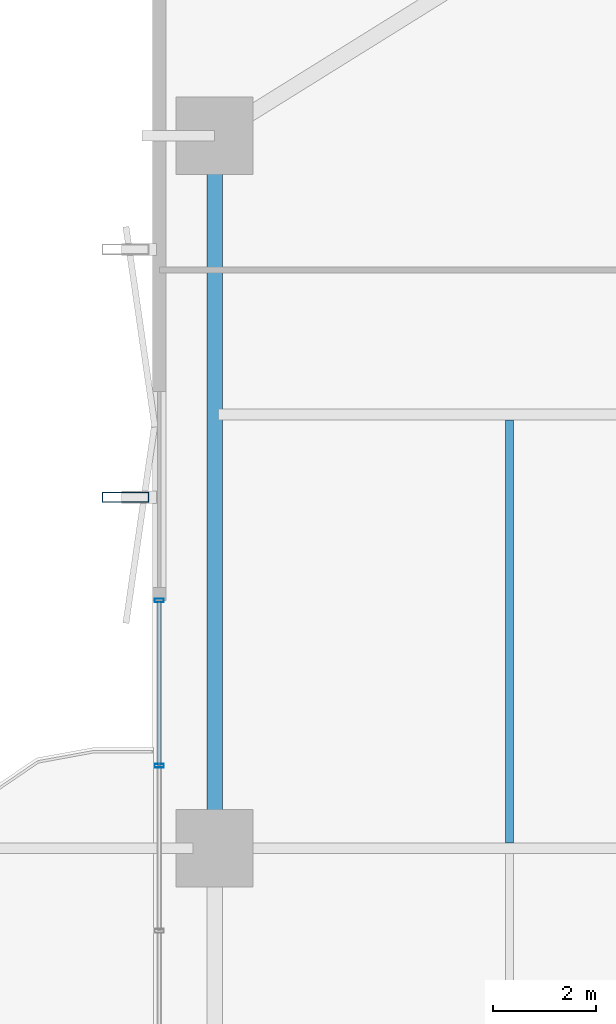
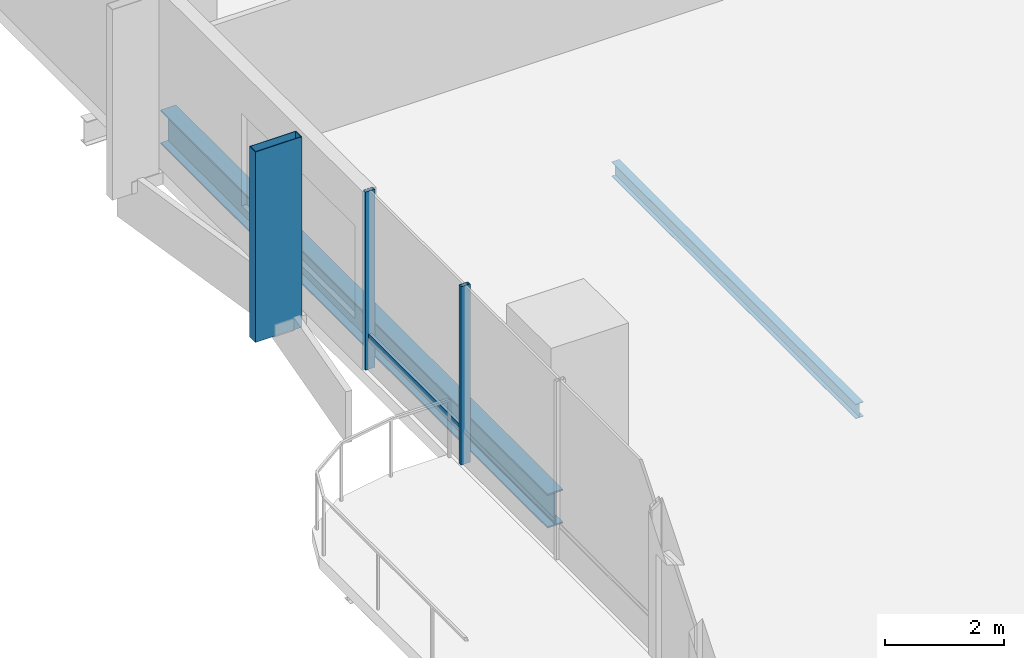
# One storey, part 9 of 24: 4 members, 2 beams, 1 element without a shape of its own.
"""IFC4 building model written with IfcOpenShell, lengths in metres."""

from ifc_helpers import new_model, si_unit, direction, frame, origin, origin_2d, place, context, subcontext, project, spatial, hollow_rectangle, i_section, extrude, material, layer, layer_set, material_profile, profile_set, type_object, element, aggregate, save


model = new_model("IFC4")

# Units and contexts
model_context = context("Model", 3, precision=1e-05, world=origin(), true_north=direction((0.0, 1.0)))
body_context = subcontext(model_context, "Body", "Model", "MODEL_VIEW")
ifc_project = project(units=[si_unit("LENGTHUNIT", "METRE"), si_unit("AREAUNIT", "SQUARE_METRE"), si_unit("VOLUMEUNIT", "CUBIC_METRE"), si_unit("PLANEANGLEUNIT", "RADIAN"), si_unit("MASSUNIT", "GRAM", prefix="KILO")], contexts=[model_context])

# Site, building, storey
site_placement = place(None, origin())
site = spatial("IfcSite", under=ifc_project, at=site_placement, CompositionType="ELEMENT")
building_placement = place(site_placement, origin())
building = spatial("IfcBuilding", under=site, at=building_placement, Name="Belovzor Exchange Tower", CompositionType="ELEMENT")
storey_placement = place(building_placement, frame((0.0, 0.0, 96.300048828125)))
storey = spatial("IfcBuildingStorey", under=building, at=storey_placement, Name="L23", CompositionType="ELEMENT", Elevation=96.300048828125)

# Beam
ifc_material_1 = material(Name="Steel S355", Category="steel")
ifc_material_profile_1 = material_profile(ifc_material_1, i_section(OverallWidth=0.14990234375, OverallDepth=0.300048828125, WebThickness=0.007080078125, FlangeThickness=0.0107421875, at=origin_2d()))
ifc_profile_set_1 = profile_set([ifc_material_profile_1], Name="Steel S355")
beam_type_1 = type_object("IfcBeamType", Name="Secondary Trim Floor Joist IPE 300", PredefinedType="BEAM", material=ifc_profile_set_1)
beam_1_placement = place(storey_placement, frame((7.81494140625, 28.905029296875, -0.400146484375), z_axis=(0.0, 1.0, 0.0), x_axis=(-1.0, 0.0, 0.0)))
element("IfcBeam", 1, at=beam_1_placement, inside=storey, type_object=beam_type_1, Name="FJ-300 Secondary Trim Floor Joist IPE 300", PredefinedType="BEAM", context=body_context, shape_type="SweptSolid", body=[
    extrude(i_section(OverallWidth=0.14990234375, OverallDepth=0.300048828125, WebThickness=0.007080078125, FlangeThickness=0.0107421875, at=origin_2d()), origin(), (0.0, 0.0, 1.0), 8.18994140625),
])

# Member
ifc_material_2 = material(Name="Extruded Architectural Terracotta on Steel S355 Carrier", Category="masonry")
ifc_material_profile_2 = material_profile(ifc_material_2, hollow_rectangle(XDim=0.199951171875, YDim=0.89990234375, WallThickness=0.011962890625, at=origin_2d()))
ifc_profile_set_2 = profile_set([ifc_material_profile_2], Name="Extruded Architectural Terracotta on Steel S355 Carrier")
member_type_1 = type_object("IfcMemberType", Name="Sweeping Terracotta Baguette Fin Assembly 1250", PredefinedType="USERDEFINED", material=ifc_profile_set_2)
member_1_placement = place(storey_placement, frame((0.375, 35.60009765625, -0.25), z_axis=(0.0, 0.0, 1.0), x_axis=(0.0, 1.0, 0.0)))
element("IfcMember", 2, at=member_1_placement, inside=storey, type_object=member_type_1, Name="FIN-TC125 Terracotta Facade Fin L23 W3", ObjectType="FIN", PredefinedType="USERDEFINED", context=body_context, shape_type="SweptSolid", body=[
    extrude(hollow_rectangle(XDim=0.199951171875, YDim=0.89990234375, WallThickness=0.011962890625, at=origin_2d()), origin(), (0.0, 0.0, 1.0), 3.89990234375),
])

# Curtain wall, members
ifc_material_3 = material(Name="Anodised Aluminium Framing", Category="aluminium")
ifc_layer = layer(ifc_material_3, 0.179931640625)
ifc_layer_set = layer_set([ifc_layer], Name="Anodised Aluminium Framing")
curtain_wall_type = type_object("IfcCurtainWallType", Name="Recessed Loggia Low-Iron Triple-Glazed Curtain Wall", PredefinedType="NOTDEFINED", material=ifc_layer_set)
curtain_wall_placement = place(storey_placement, origin())
curtain_wall = element("IfcCurtainWall", 3, at=curtain_wall_placement, inside=storey, type_object=curtain_wall_type, Name="CW3 Recessed Loggia Low-Iron Triple-Glazed Curtain Wall L23", PredefinedType="NOTDEFINED")
ifc_material_4 = material(Name="Steel S355", Category="steel")
ifc_material_profile_3 = material_profile(ifc_material_4, hollow_rectangle(XDim=0.074951171875, YDim=0.179931640625, WallThickness=0.0048828125, at=origin_2d()))
ifc_profile_set_3 = profile_set([ifc_material_profile_3], Name="Steel S355")
member_type_2 = type_object("IfcMemberType", Name="Thermally Broken Curtain Wall Mullion 180x75", PredefinedType="MULLION", material=ifc_profile_set_3)
member_2_placement = place(storey_placement, frame((1.030029296875, 30.39990234375, 0.0), z_axis=(0.0, 0.0, 1.0), x_axis=(0.0, 1.0, 0.0)))
member_2 = element("IfcMember", 4, at=member_2_placement, type_object=member_type_2, Name="CW-M180 Curtain Wall Mullion 3", PredefinedType="MULLION", context=body_context, shape_type="SweptSolid", body=[
    extrude(hollow_rectangle(XDim=0.074951171875, YDim=0.179931640625, WallThickness=0.0048828125, at=origin_2d()), origin(), (0.0, 0.0, 1.0), 3.64990234375),
])
member_3_placement = place(storey_placement, frame((1.030029296875, 33.60009765625, 0.0), z_axis=(0.0, 0.0, 1.0), x_axis=(0.0, 1.0, 0.0)))
member_3 = element("IfcMember", 5, at=member_3_placement, type_object=member_type_2, Name="CW-M180 Curtain Wall Mullion 4", PredefinedType="MULLION", context=body_context, shape_type="SweptSolid", body=[
    extrude(hollow_rectangle(XDim=0.074951171875, YDim=0.179931640625, WallThickness=0.0048828125, at=origin_2d()), origin(), (0.0, 0.0, 1.0), 3.64990234375),
])
ifc_material_5 = material(Name="Steel S355", Category="steel")
ifc_material_profile_4 = material_profile(ifc_material_5, hollow_rectangle(XDim=0.06005859375, YDim=0.14990234375, WallThickness=0.00390625, at=origin_2d()))
ifc_profile_set_4 = profile_set([ifc_material_profile_4], Name="Steel S355")
member_type_3 = type_object("IfcMemberType", Name="Thermally Broken Curtain Wall Transom 150x60", PredefinedType="USERDEFINED", material=ifc_profile_set_4)
member_4_placement = place(storey_placement, frame((1.030029296875, 30.407958984375, 0.64990234375), z_axis=(0.0, 1.0, 0.0), x_axis=(-1.0, 0.0, 0.0)))
member_4 = element("IfcMember", 6, at=member_4_placement, type_object=member_type_3, Name="CW-T150 Curtain Wall Transom 3", ObjectType="TRANSOM", PredefinedType="USERDEFINED", context=body_context, shape_type="SweptSolid", body=[
    extrude(hollow_rectangle(XDim=0.06005859375, YDim=0.14990234375, WallThickness=0.00390625, at=origin_2d()), origin(), (0.0, 0.0, 1.0), 3.18408203125),
])
aggregate(curtain_wall, [member_2, member_3, member_4])

# Beam
ifc_material_6 = material(Name="Steel S355", Category="steel")
ifc_material_profile_5 = material_profile(ifc_material_6, i_section(OverallWidth=0.300048828125, OverallDepth=0.699951171875, WebThickness=0.01708984375, FlangeThickness=0.031982421875, at=origin_2d()))
ifc_profile_set_5 = profile_set([ifc_material_profile_5], Name="Steel S355")
beam_type_2 = type_object("IfcBeamType", Name="Zone 1 Primary Perimeter Girder HEB 700", PredefinedType="BEAM", material=ifc_profile_set_5)
beam_2_placement = place(storey_placement, frame((2.10009765625, 42.18798828125, -0.60009765625), z_axis=(0.0, -1.0, 0.0), x_axis=(1.0, 0.0, 0.0)))
element("IfcBeam", 7, at=beam_2_placement, inside=storey, type_object=beam_type_2, Name="FG-Z1 Zone 1 Primary Perimeter Girder HEB 700", PredefinedType="BEAM", context=body_context, shape_type="SweptSolid", body=[
    extrude(i_section(OverallWidth=0.300048828125, OverallDepth=0.699951171875, WebThickness=0.01708984375, FlangeThickness=0.031982421875, at=origin_2d()), origin(), (0.0, 0.0, 1.0), 12.97509765625),
])

save(model, "model.ifc")
